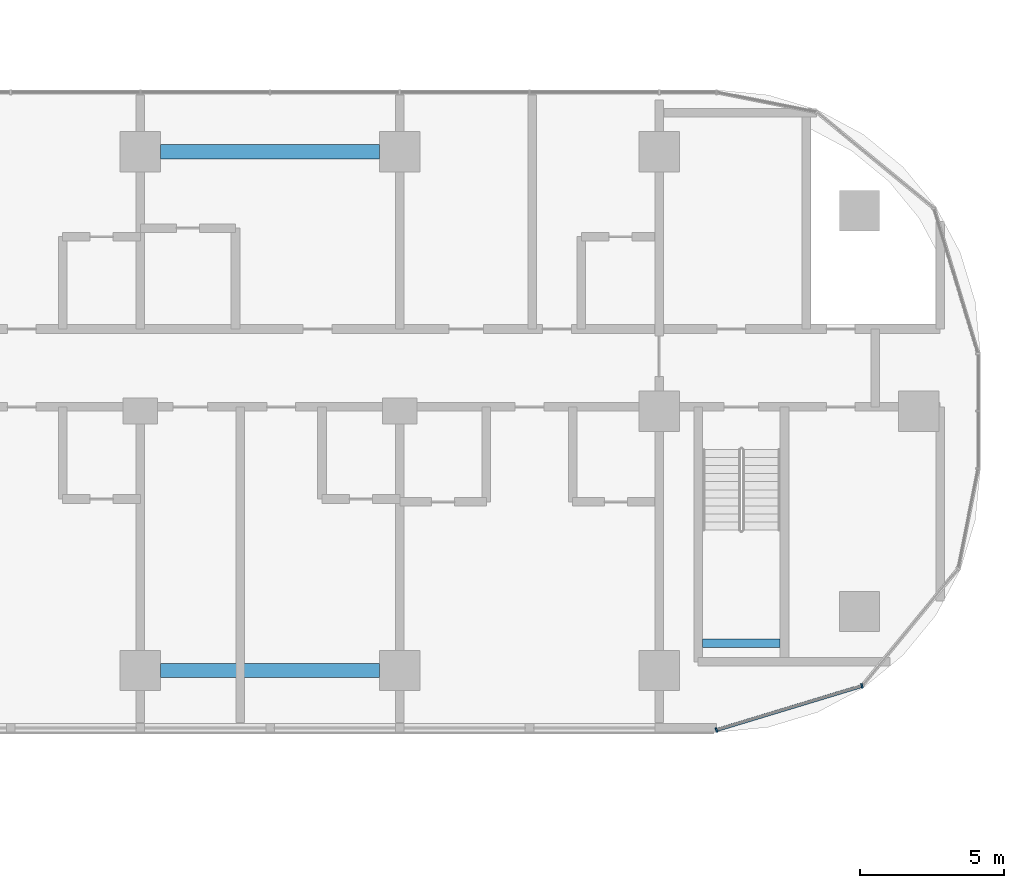
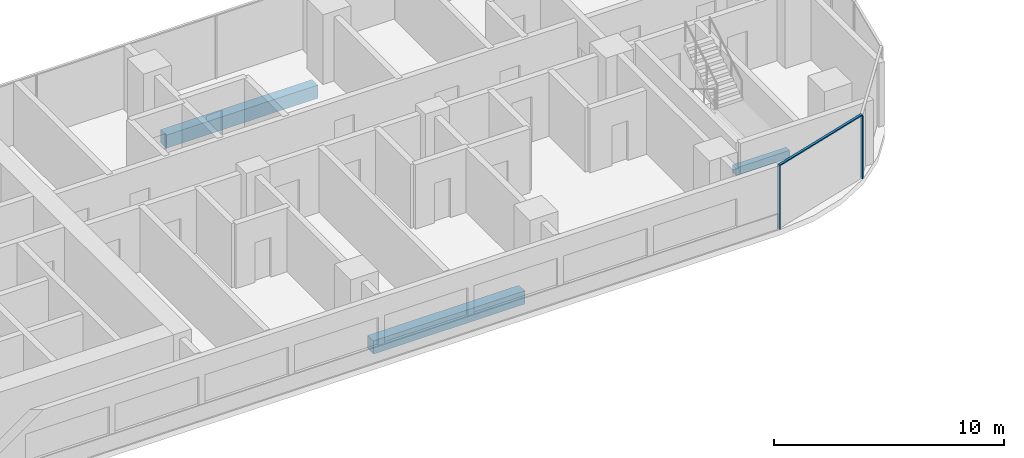
# One storey, part 3 of 32: 3 beams, 3 members, 1 element without a shape of its own.
"""IFC4 building model written with IfcOpenShell, lengths in metres."""

from ifc_helpers import new_model, si_unit, direction, frame, origin, origin_2d, place, context, subcontext, project, spatial, rectangle, extrude, material, material_profile, profile_set, type_object, element, aggregate, save


model = new_model("IFC4")

# Units and contexts
model_context = context("Model", 3, precision=1e-05, world=origin(), true_north=direction((0.0, 1.0)))
body_context = subcontext(model_context, "Body", "Model", "MODEL_VIEW")
ifc_project = project(units=[si_unit("LENGTHUNIT", "METRE"), si_unit("AREAUNIT", "SQUARE_METRE"), si_unit("VOLUMEUNIT", "CUBIC_METRE"), si_unit("PLANEANGLEUNIT", "RADIAN"), si_unit("MASSUNIT", "GRAM", prefix="KILO")], contexts=[model_context])

# Site, building, storey
site_placement = place(None, origin())
site = spatial("IfcSite", under=ifc_project, at=site_placement, CompositionType="ELEMENT")
building_placement = place(site_placement, origin())
building = spatial("IfcBuilding", under=site, at=building_placement, Name="Ogive Portal Towers", CompositionType="ELEMENT")
storey_placement = place(building_placement, frame((0.0, 0.0, 59.39990234375)))
storey = spatial("IfcBuildingStorey", under=building, at=storey_placement, Name="L13", CompositionType="ELEMENT", Elevation=59.39990234375)

# Beam
ifc_material_1 = material(Name="Concrete C40/50", Category="concrete")
ifc_material_profile_1 = material_profile(ifc_material_1, rectangle(XDim=0.300048828125, YDim=0.39990234375, at=origin_2d()), Name="RC 300x400")
ifc_profile_set_1 = profile_set([ifc_material_profile_1], Name="Concrete C40/50")
beam_type_1 = type_object("IfcBeamType", Name="BEAM RC 300x400", PredefinedType="BEAM", material=ifc_profile_set_1)
beam_placement = place(storey_placement, frame((87.0, 22.449951171875, 1.4501953125), z_axis=(1.0, 0.0, 0.0), x_axis=(0.0, 1.0, 0.0)))
element("IfcBeam", 1, at=beam_placement, inside=storey, type_object=beam_type_1, Name="Landing beam L13", PredefinedType="BEAM", context=body_context, shape_type="SweptSolid", body=[
    extrude(rectangle(XDim=0.300048828125, YDim=0.39990234375, at=origin_2d()), origin(), (0.0, 0.0, 1.0), 2.699951171875),
])

# Curtain wall, members
ifc_material_2 = material(Name="Glass, clear low-iron insulated glazing", Category="glass")
curtain_wall_type = type_object("IfcCurtainWallType", Name="CW FRONT RIBBON 4500", PredefinedType="NOTDEFINED", material=ifc_material_2)
curtain_wall_placement = place(storey_placement, origin())
curtain_wall = element("IfcCurtainWall", 2, at=curtain_wall_placement, inside=storey, type_object=curtain_wall_type, Name="A:L13:f09:cwa", PredefinedType="NOTDEFINED")
ifc_material_3 = material(Name="Aluminium 6063 anodised", Category="aluminium")
ifc_material_profile_2 = material_profile(ifc_material_3, rectangle(XDim=0.159912109375, YDim=0.06005859375, at=origin_2d()), Name="AL 60x160")
ifc_profile_set_2 = profile_set([ifc_material_profile_2], Name="Aluminium 6063 anodised")
member_type_1 = type_object("IfcMemberType", Name="CW MULLION 60x160", PredefinedType="MULLION", material=ifc_profile_set_2)
member_1_placement = place(storey_placement, frame((87.488037109375, 19.43505859375, 0.0), z_axis=(0.0, 0.0, 1.0), x_axis=(-0.290284677254, 0.956940335732, 0.0)))
member_1 = element("IfcMember", 3, at=member_1_placement, type_object=member_type_1, Name="mullion", PredefinedType="MULLION", context=body_context, shape_type="SweptSolid", body=[
    extrude(rectangle(XDim=0.159912109375, YDim=0.06005859375, at=origin_2d()), origin(), (0.0, 0.0, 1.0), 3.340087890625),
])
member_2_placement = place(storey_placement, frame((92.5341796875, 20.9658203125, 0.0), z_axis=(0.0, 0.0, 1.0), x_axis=(-0.290284677254, 0.956940335732, 0.0)))
member_2 = element("IfcMember", 4, at=member_2_placement, type_object=member_type_1, Name="mullion", PredefinedType="MULLION", context=body_context, shape_type="SweptSolid", body=[
    extrude(rectangle(XDim=0.159912109375, YDim=0.06005859375, at=origin_2d()), origin(), (0.0, 0.0, 1.0), 3.340087890625),
])
ifc_material_profile_3 = material_profile(ifc_material_3, rectangle(XDim=0.1201171875, YDim=0.06005859375, at=origin_2d()), Name="AL 120x60")
ifc_profile_set_3 = profile_set([ifc_material_profile_3], Name="Aluminium 6063 anodised")
member_type_2 = type_object("IfcMemberType", Name="CW TRANSOM 60x120", PredefinedType="USERDEFINED", material=ifc_profile_set_3)
member_3_placement = place(storey_placement, frame((87.488037109375, 19.43505859375, 3.3701171875), z_axis=(0.956938697275, 0.290290078471, 0.0), x_axis=(-0.290290078471, 0.956938697275, 0.0)))
member_3 = element("IfcMember", 5, at=member_3_placement, type_object=member_type_2, Name="transom", ObjectType="TRANSOM", PredefinedType="USERDEFINED", context=body_context, shape_type="SweptSolid", body=[
    extrude(rectangle(XDim=0.1201171875, YDim=0.06005859375, at=origin_2d()), origin(), (0.0, 0.0, 1.0), 5.273193359375),
])
aggregate(curtain_wall, [member_3, member_1, member_2])

# Beams
ifc_material_profile_4 = material_profile(ifc_material_1, rectangle(XDim=0.5, YDim=0.699951171875, at=origin_2d()), Name="RC 500x700")
ifc_profile_set_4 = profile_set([ifc_material_profile_4], Name="Concrete C40/50")
beam_type_2 = type_object("IfcBeamType", Name="SPANDREL BEAM RC 500x700", PredefinedType="BEAM", material=ifc_profile_set_4)
for number, where, z_axis, x_axis, name in (
    (6, (68.199951171875, 39.5, -0.64990234375), (1.0, 0.0, 0.0), (0.0, 1.0, 0.0), "Spandrel beam L13"),
    (7, (75.800048828125, 21.5, -0.64990234375), (-1.0, 0.0, 0.0), (0.0, -1.0, 0.0), "Spandrel beam L13"),
):
    element("IfcBeam", number, at=place(storey_placement, frame(where, z_axis=z_axis, x_axis=x_axis)), inside=storey, type_object=beam_type_2, Name=name, PredefinedType="BEAM", context=body_context, shape_type="SweptSolid", body=[
        extrude(rectangle(XDim=0.5, YDim=0.699951171875, at=origin_2d()), origin(), (0.0, 0.0, 1.0), 7.60009765625),
    ])

save(model, "model.ifc")
